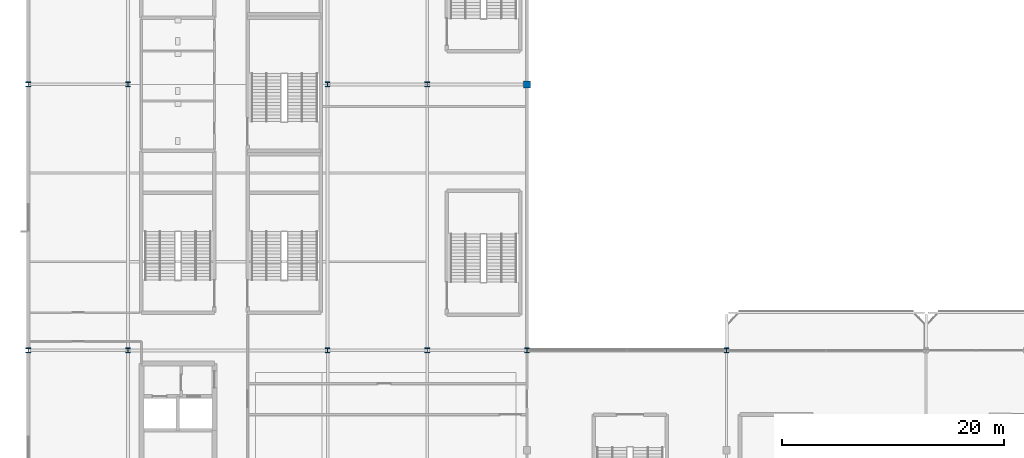
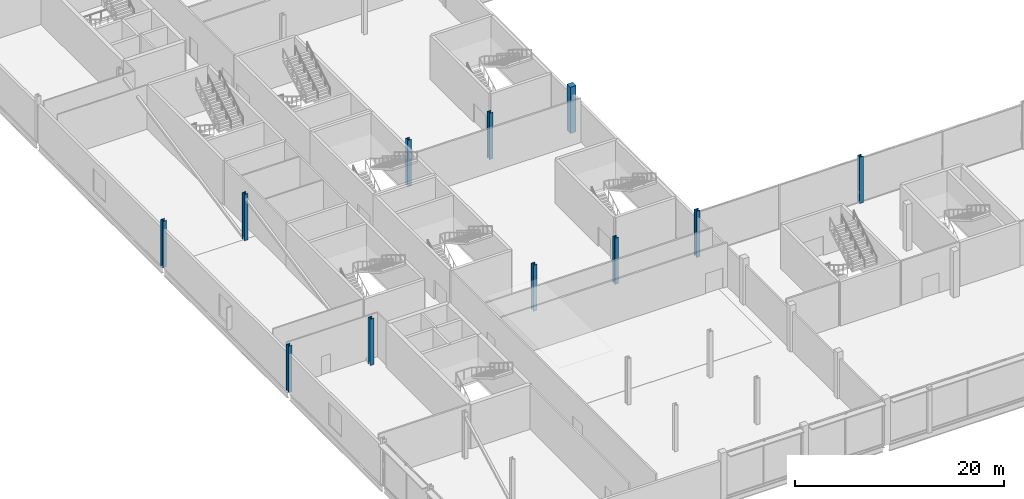
# One storey, part 2 of 113: 11 columns.
"""IFC4 building model written with IfcOpenShell, lengths in metres."""

from ifc_helpers import new_model, si_unit, direction, frame, origin, origin_2d, place, context, subcontext, project, spatial, rectangle, i_section, extrude, material, material_profile, profile_set, type_object, element, save


model = new_model("IFC4")

# Units and contexts
model_context = context("Model", 3, precision=1e-05, world=origin(), true_north=direction((0.0, 1.0)))
body_context = subcontext(model_context, "Body", "Model", "MODEL_VIEW")
ifc_project = project(units=[si_unit("LENGTHUNIT", "METRE"), si_unit("AREAUNIT", "SQUARE_METRE"), si_unit("VOLUMEUNIT", "CUBIC_METRE"), si_unit("PLANEANGLEUNIT", "RADIAN"), si_unit("MASSUNIT", "GRAM", prefix="KILO")], contexts=[model_context])

# Site, building, storey
site_placement = place(None, origin())
site = spatial("IfcSite", under=ifc_project, at=site_placement, CompositionType="ELEMENT")
building_placement = place(site_placement, origin())
building = spatial("IfcBuilding", under=site, at=building_placement, Name="Kisiwana Market Hall", CompositionType="ELEMENT")
storey_placement = place(building_placement, frame((0.0, 0.0, 6.0)))
storey = spatial("IfcBuildingStorey", under=building, at=storey_placement, Name="L01", CompositionType="ELEMENT", Elevation=6.0)

# Columns
ifc_material_1 = material(Name="Concrete C40/50", Category="concrete")
ifc_material_profile_1 = material_profile(ifc_material_1, rectangle(XDim=0.64990234375, YDim=0.64990234375, at=origin_2d()), Name="RC 650x650")
ifc_profile_set_1 = profile_set([ifc_material_profile_1], Name="Concrete C40/50")
column_type_1 = type_object("IfcColumnType", Name="COL-RC-POD-650", PredefinedType="COLUMN", material=ifc_profile_set_1)
column_placement = place(storey_placement, frame((45.0, 60.0, 0.0), z_axis=(0.0, 0.0, 1.0), x_axis=(1.0, 0.0, 0.0)))
element("IfcColumn", 1, at=column_placement, inside=storey, type_object=column_type_1, Name="Column H/6 (L01) C-0399", PredefinedType="COLUMN", context=body_context, shape_type="SweptSolid", body=[
    extrude(rectangle(XDim=0.64990234375, YDim=0.64990234375, at=origin_2d()), origin(), (0.0, 0.0, 1.0), 5.39990234375),
])
ifc_material_2 = material(Name="Steel S355", Category="steel")
ifc_material_profile_2 = material_profile(ifc_material_2, i_section(OverallWidth=0.412109375, OverallDepth=0.43505859375, WebThickness=0.035888671875, FlangeThickness=0.05810546875, at=origin_2d()), Name="HD 400x463")
ifc_profile_set_2 = profile_set([ifc_material_profile_2], Name="Steel S355")
column_type_2 = type_object("IfcColumnType", Name="COL-STL-HD463", PredefinedType="COLUMN", material=ifc_profile_set_2)
for number, where, z_axis, x_axis, name in (
    (2, (0.0, 36.0, 0.0), (0.0, 0.0, 1.0), (1.0, 0.0, 0.0), "Column E/1 (L01) C-0363"),
    (3, (0.0, 60.0, 0.0), (0.0, 0.0, 1.0), (1.0, 0.0, 0.0), "Column H/1 (L01) C-0364"),
    (4, (9.0, 36.0, 0.0), (0.0, 0.0, 1.0), (1.0, 0.0, 0.0), "Column E/2 (L01) C-0372"),
    (5, (27.0, 36.0, 0.0), (0.0, 0.0, 1.0), (1.0, 0.0, 0.0), "Column E/4 (L01) C-0380"),
    (6, (27.0, 60.0, 0.0), (0.0, 0.0, 1.0), (1.0, 0.0, 0.0), "Column H/4 (L01) C-0381"),
    (7, (36.0, 36.0, 0.0), (0.0, 0.0, 1.0), (1.0, 0.0, 0.0), "Column E/5 (L01) C-0389"),
    (8, (45.0, 36.0, 0.0), (0.0, 0.0, 1.0), (1.0, 0.0, 0.0), "Column E/6 (L01) C-0398"),
    (9, (63.0, 36.0, 0.0), (0.0, 0.0, 1.0), (1.0, 0.0, 0.0), "Column E/8 (L01) C-0408"),
    (10, (9.0, 60.0, 0.0), (0.0, 0.0, 1.0), (1.0, 0.0, 0.0), "Column H/2 (L01) C-0356"),
    (11, (36.0, 60.0, 0.0), (0.0, 0.0, 1.0), (1.0, 0.0, 0.0), "Column H/5 (L01) C-0357"),
):
    element("IfcColumn", number, at=place(storey_placement, frame(where, z_axis=z_axis, x_axis=x_axis)), inside=storey, type_object=column_type_2, Name=name, PredefinedType="COLUMN", context=body_context, shape_type="SweptSolid", body=[
        extrude(i_section(OverallWidth=0.412109375, OverallDepth=0.43505859375, WebThickness=0.035888671875, FlangeThickness=0.05810546875, at=origin_2d()), origin(), (0.0, 0.0, 1.0), 5.39990234375),
    ])

save(model, "model.ifc")
